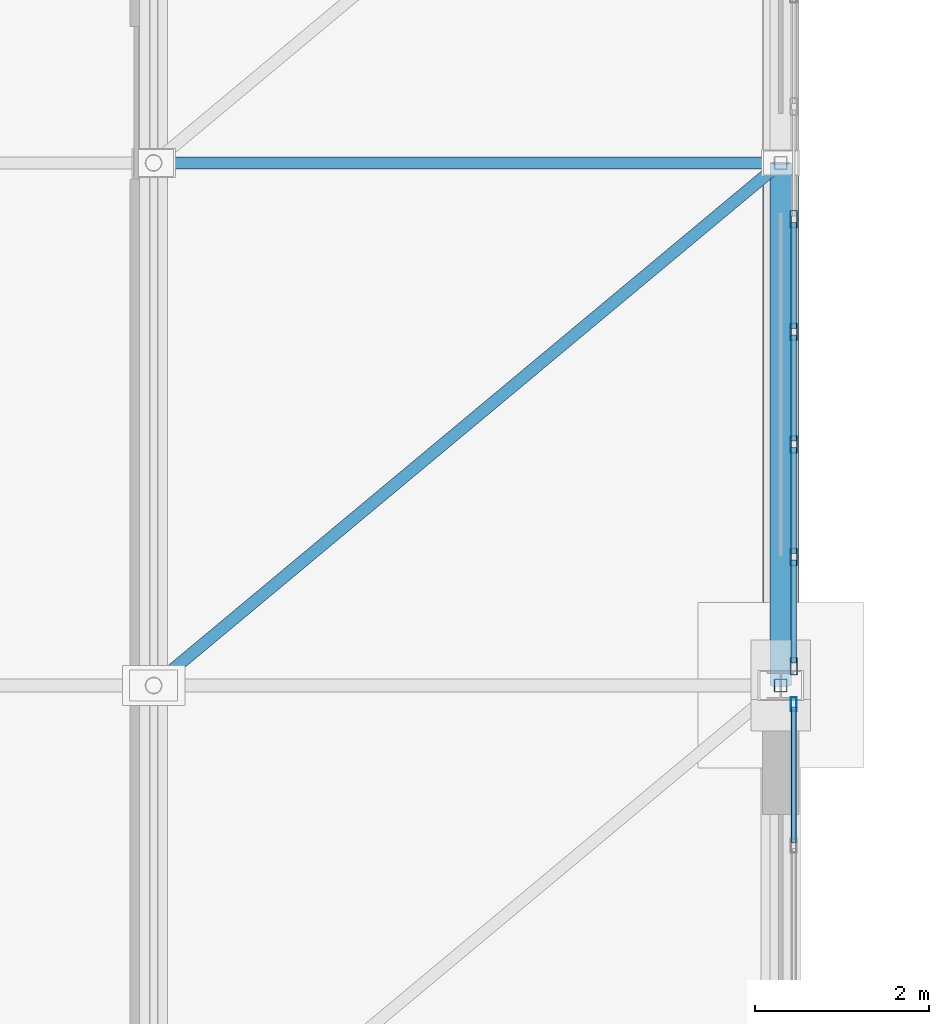
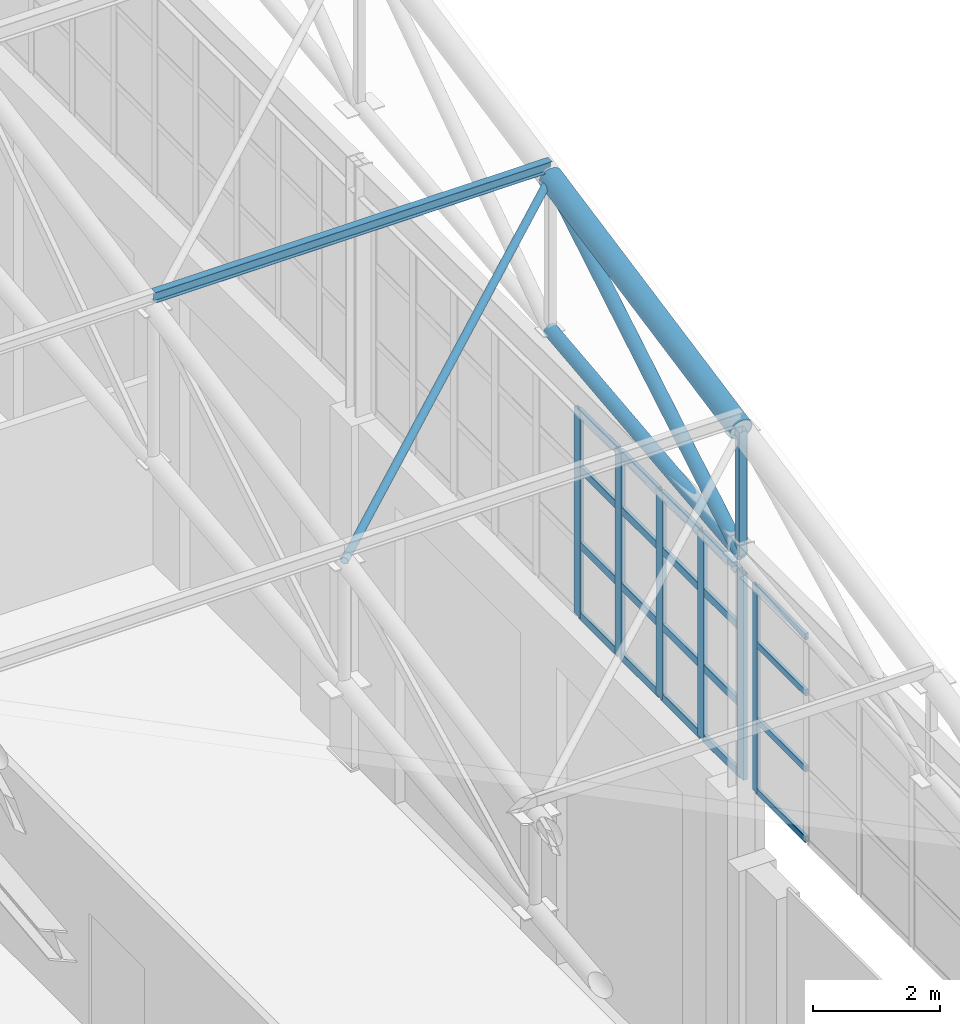
# One storey, part 185 of 293: 32 members, 2 elements without a shape of their own.
"""IFC4 building model written with IfcOpenShell, lengths in metres."""

import ifcopenshell
import ifcopenshell.guid

model = None  # the IFC model being written
_history = None  # IfcOwnerHistory: only IFC2X3 demands one
_inside = {}  # id of a spatial element -> (the spatial element, [elements in it])
_under = {}  # id of a project, library or spatial element -> (it, [spatial elements below it])
_declared = {}  # id of a project -> (the project, [libraries it declares])
_typed = {}  # id of a type object -> (the type object, [elements of that type])
_made_of = {}  # id of a material, layer set ... -> (it, [elements and type objects made of it])


def new_model(schema):
    """Start an empty IFC model of exactly this schema.

    Asked for "IFC4X3", IfcOpenShell would pick the latest addendum, in which some entities
    have other attributes; the version numbers below select the first issue.
    IFC2X3 requires an IfcOwnerHistory on every rooted entity: one is made here for all.
    """
    global model, _history
    if schema == "IFC4X3":
        model = ifcopenshell.file(schema_version=(4, 3, 0, 0))
    else:
        model = ifcopenshell.file(schema=schema)
    _inside.clear()
    _under.clear()
    _declared.clear()
    _typed.clear()
    _made_of.clear()
    _history = None
    if model.schema == "IFC2X3":
        org = make("IfcOrganization", Name="unknown")
        user = make(
            "IfcPersonAndOrganization",
            ThePerson=make("IfcPerson", FamilyName="unknown"),
            TheOrganization=org,
        )
        app = make(
            "IfcApplication",
            ApplicationDeveloper=org,
            Version="unknown",
            ApplicationFullName="unknown",
            ApplicationIdentifier="unknown",
        )
        _history = make(
            "IfcOwnerHistory",
            OwningUser=user,
            OwningApplication=app,
            ChangeAction="ADDED",
            CreationDate=0,
        )
    return model


def make(cls, **values):
    """One entity of the class cls with the attributes given. An attribute that is None is left unset."""
    return model.create_entity(
        cls, **{name: value for name, value in values.items() if value is not None}
    )


def rooted(cls, **values):
    """An entity with a GlobalId (a new one), such as an element, a storey or a relation."""
    return make(cls, GlobalId=ifcopenshell.guid.new(), OwnerHistory=_history, **values)


def si_unit(unit_type, name, prefix=None):
    """IfcSIUnit, for example si_unit("LENGTHUNIT", "METRE", prefix="MILLI")."""
    return make("IfcSIUnit", UnitType=unit_type, Prefix=prefix, Name=name)


def assignment(units):
    """IfcUnitAssignment: the units of a project."""
    return None if units is None else make("IfcUnitAssignment", Units=units)


def point(xyz):
    """IfcCartesianPoint."""
    return None if xyz is None else make("IfcCartesianPoint", Coordinates=xyz)


def direction(xyz):
    """IfcDirection."""
    return None if xyz is None else make("IfcDirection", DirectionRatios=xyz)


def frame(location, z_axis=None, x_axis=None):
    """IfcAxis2Placement3D, a coordinate frame: its origin and axes. An axis left out is left unset."""
    return make(
        "IfcAxis2Placement3D",
        Location=point(location),
        Axis=direction(z_axis),
        RefDirection=direction(x_axis),
    )


def frame_2d(location, x_axis=None):
    """IfcAxis2Placement2D, a coordinate frame in the plane: its origin and x axis."""
    return make(
        "IfcAxis2Placement2D", Location=point(location), RefDirection=direction(x_axis)
    )


def origin():
    """The frame at (0, 0, 0) with its axes left unset."""
    return frame((0.0, 0.0, 0.0))


def origin_2d():
    """The frame at (0, 0) in the plane with its x axis left unset."""
    return frame_2d((0.0, 0.0))


def place(relative_to, where):
    """IfcLocalPlacement: puts the frame where relative to a parent placement (None: the world)."""
    return make(
        "IfcLocalPlacement", PlacementRelTo=relative_to, RelativePlacement=where
    )


def context(
    kind, dimensions, precision=None, world=None, true_north=None, identifier=None
):
    """IfcGeometricRepresentationContext, for example the 3D "Model" context."""
    return make(
        "IfcGeometricRepresentationContext",
        ContextIdentifier=identifier,
        ContextType=kind,
        CoordinateSpaceDimension=dimensions,
        Precision=precision,
        WorldCoordinateSystem=world,
        TrueNorth=true_north,
    )


def subcontext(parent, identifier, kind, view, scale=None):
    """IfcGeometricRepresentationSubContext, for example "Body" below "Model"."""
    return make(
        "IfcGeometricRepresentationSubContext",
        ContextIdentifier=identifier,
        ContextType=kind,
        ParentContext=parent,
        TargetScale=scale,
        TargetView=view,
    )


def project(units=None, contexts=None):
    """IfcProject with its units and contexts."""
    return rooted(
        "IfcProject",
        Name="project",
        RepresentationContexts=contexts,
        UnitsInContext=assignment(units),
    )


def spatial(cls, under=None, at=None, **own):
    """A site, building, storey or space (cls), placed at a placement, below another one or the project."""
    s = rooted(cls, ObjectPlacement=at, **own)
    if under is not None:
        _under.setdefault(under.id(), (under, []))[1].append(s)
    return s


def profile(cls, at=None, kind="AREA", **sizes):
    """A parametric profile (cls). Its sizes go by their IFC names, for example OverallWidth=200.0."""
    return make(cls, ProfileType=kind, Position=at, **sizes)


def hollow_rectangle(**sizes):
    """IfcRectangleHollowProfileDef."""
    return profile("IfcRectangleHollowProfileDef", **sizes)


def hollow_circle(**sizes):
    """IfcCircleHollowProfileDef."""
    return profile("IfcCircleHollowProfileDef", **sizes)


def i_section(**sizes):
    """IfcIShapeProfileDef."""
    return profile("IfcIShapeProfileDef", **sizes)


def extrude(swept, where, along, depth):
    """IfcExtrudedAreaSolid: the profile swept, set in the frame where, extruded along a direction by depth."""
    return make(
        "IfcExtrudedAreaSolid",
        SweptArea=swept,
        Position=where,
        ExtrudedDirection=direction(along),
        Depth=depth,
    )


def shape(context_of_items, identifier, shape_type, items):
    """IfcShapeRepresentation: the items that make up one representation, for example the "Body"."""
    return make(
        "IfcShapeRepresentation",
        ContextOfItems=context_of_items,
        RepresentationIdentifier=identifier,
        RepresentationType=shape_type,
        Items=items,
    )


def material(Name=None, Category=None):
    """IfcMaterial."""
    return make("IfcMaterial", Name=Name, Category=Category)


def layer(
    of_material, thickness, ventilated=None, Name=None, Category=None, Priority=None
):
    """IfcMaterialLayer: one layer of a wall or slab, of a material (None: an air gap)."""
    return make(
        "IfcMaterialLayer",
        Material=of_material,
        LayerThickness=thickness,
        IsVentilated=ventilated,
        Name=Name,
        Category=Category,
        Priority=Priority,
    )


def layer_set(layers, Name=None):
    """IfcMaterialLayerSet."""
    return make("IfcMaterialLayerSet", MaterialLayers=layers, LayerSetName=Name)


def material_profile(
    of_material, cross_section, Name=None, Category=None, Priority=None
):
    """IfcMaterialProfile: a cross section and its material."""
    return make(
        "IfcMaterialProfile",
        Name=Name,
        Material=of_material,
        Profile=cross_section,
        Priority=Priority,
        Category=Category,
    )


def profile_set(profiles, Name=None, composite=None):
    """IfcMaterialProfileSet."""
    return make(
        "IfcMaterialProfileSet",
        Name=Name,
        MaterialProfiles=profiles,
        CompositeProfile=composite,
    )


def made_of(thing, what):
    """Note that an element or type object is made of a material, layer set ...; save() writes the relation."""
    if what is not None:
        _made_of.setdefault(what.id(), (what, []))[1].append(thing)
    return thing


def type_object(cls, material=None, **own):
    """A type object (cls), such as IfcWallType, which elements share."""
    return made_of(rooted(cls, **own), material)


def element(
    cls,
    number,
    at=None,
    inside=None,
    cuts=None,
    type_object=None,
    material=None,
    context=None,
    identifier="Body",
    shape_type=None,
    held_by="IfcProductDefinitionShape",
    body=None,
    shapes=None,
    **own,
):
    """One element of the class cls, such as IfcWall. Its Tag is "e" and its number.

    at: its placement. inside: the storey or other place that contains it. cuts: it is an
    opening in that element (IfcRelVoidsElement). A single representation is given by context,
    identifier, shape_type and body (its items); several are given by shapes. held_by: the class
    of the entity that holds the representations. save() writes the other relations.
    """
    e = rooted(cls, Tag="e%d" % number, ObjectPlacement=at, **own)
    if body is not None:
        shapes = [shape(context, identifier, shape_type, body)]
    if shapes is not None:
        e.Representation = make(held_by, Representations=shapes)
    if inside is not None:
        _inside.setdefault(inside.id(), (inside, []))[1].append(e)
    if cuts is not None:
        rooted(
            "IfcRelVoidsElement", RelatingBuildingElement=cuts, RelatedOpeningElement=e
        )
    if type_object is not None:
        _typed.setdefault(type_object.id(), (type_object, []))[1].append(e)
    return made_of(e, material)


def aggregate(whole, parts):
    """IfcRelAggregates: a whole, such as a stair, and the parts it consists of."""
    return rooted("IfcRelAggregates", RelatingObject=whole, RelatedObjects=parts)


def save(model, path):
    """Write the relations noted so far, then the file.

    IfcRelAggregates (storeys below a building ...), IfcRelContainedInSpatialStructure (elements
    in a storey), IfcRelDefinesByType, IfcRelAssociatesMaterial and IfcRelDeclares: one each for
    every whole, place, type object, material and project.
    """
    for whole, parts in _under.values():
        aggregate(whole, parts)
    for where, things in _inside.values():
        rooted(
            "IfcRelContainedInSpatialStructure",
            RelatedElements=things,
            RelatingStructure=where,
        )
    for kind, things in _typed.values():
        rooted("IfcRelDefinesByType", RelatedObjects=things, RelatingType=kind)
    for what, things in _made_of.values():
        rooted("IfcRelAssociatesMaterial", RelatedObjects=things, RelatingMaterial=what)
    for by, libraries in _declared.values():
        rooted("IfcRelDeclares", RelatingContext=by, RelatedDefinitions=libraries)
    model.write(path)


model = new_model("IFC4")

# Units and contexts
model_context = context("Model", 3, precision=1e-05, world=origin(), true_north=direction((0.0, 1.0)))
body_context = subcontext(model_context, "Body", "Model", "MODEL_VIEW")
ifc_project = project(units=[si_unit("LENGTHUNIT", "METRE"), si_unit("AREAUNIT", "SQUARE_METRE"), si_unit("VOLUMEUNIT", "CUBIC_METRE"), si_unit("PLANEANGLEUNIT", "RADIAN"), si_unit("MASSUNIT", "GRAM", prefix="KILO")], contexts=[model_context])

# Site, building, storey
site_placement = place(None, origin())
site = spatial("IfcSite", under=ifc_project, at=site_placement, CompositionType="ELEMENT")
building_placement = place(site_placement, origin())
building = spatial("IfcBuilding", under=site, at=building_placement, Name="Kemerveld Promenade Tramway Depot", CompositionType="ELEMENT")
storey_placement = place(building_placement, origin())
storey = spatial("IfcBuildingStorey", under=building, at=storey_placement, Name="L00", CompositionType="ELEMENT", Elevation=0.0)

# Curtain wall, member
ifc_material_1 = material(Name="Bronze anodised aluminium and solar glass", Category="aluminium")
ifc_layer_1 = layer(ifc_material_1, 0.159912109375)
ifc_layer_set_1 = layer_set([ifc_layer_1], Name="CW-SYS-11")
curtain_wall_type_1 = type_object("IfcCurtainWallType", Name="CW-SYS-11", PredefinedType="USERDEFINED", material=ifc_layer_set_1)
curtain_wall_1_placement = place(storey_placement, origin())
curtain_wall_1 = element("IfcCurtainWall", 1, at=curtain_wall_1_placement, inside=storey, type_object=curtain_wall_type_1, Name="CW-V1-E-01", ObjectType="GLAZED_CURTAIN_WALL", PredefinedType="USERDEFINED")
ifc_material_2 = material(Name="Bronze anodised aluminium", Category="aluminium")
ifc_material_profile_1 = material_profile(ifc_material_2, hollow_rectangle(XDim=0.06494140625, YDim=0.159912109375, WallThickness=0.00390625, InnerFilletRadius=0.001953125, OuterFilletRadius=0.00390625, at=origin_2d()), Name="CW-MUL-160x65")
ifc_profile_set_1 = profile_set([ifc_material_profile_1], Name="Bronze anodised aluminium")
member_type_1 = type_object("IfcMemberType", Name="CW-MUL-A", PredefinedType="MULLION", material=ifc_profile_set_1)
member_1_placement = place(storey_placement, frame((187.35009765625, 95.783935546875, 6.64990234375), z_axis=(0.0, 0.0, 1.0), x_axis=(1.0, 0.0, 0.0)))
member_1 = element("IfcMember", 2, at=member_1_placement, type_object=member_type_1, Name="CW11 mullion 1", PredefinedType="MULLION", context=body_context, shape_type="SweptSolid", body=[
    extrude(hollow_rectangle(XDim=0.06494140625, YDim=0.159912109375, WallThickness=0.00390625, InnerFilletRadius=0.001953125, OuterFilletRadius=0.00390625, at=origin_2d()), origin(), (0.0, 0.0, 1.0), 3.9501953125),
])

# Curtain wall, members
ifc_layer_2 = layer(ifc_material_1, 0.199951171875)
ifc_layer_set_2 = layer_set([ifc_layer_2], Name="CW-SYS-12")
curtain_wall_type_2 = type_object("IfcCurtainWallType", Name="CW-SYS-12", PredefinedType="USERDEFINED", material=ifc_layer_set_2)
curtain_wall_2_placement = place(storey_placement, origin())
curtain_wall_2 = element("IfcCurtainWall", 3, at=curtain_wall_2_placement, inside=storey, type_object=curtain_wall_type_2, Name="CW-V1-E-02", ObjectType="GLAZED_CURTAIN_WALL", PredefinedType="USERDEFINED")
ifc_material_profile_2 = material_profile(ifc_material_2, hollow_rectangle(XDim=0.074951171875, YDim=0.199951171875, WallThickness=0.0048828125, InnerFilletRadius=0.001953125, OuterFilletRadius=0.0048828125, at=origin_2d()), Name="CW-MUL-200x75")
ifc_profile_set_2 = profile_set([ifc_material_profile_2], Name="Bronze anodised aluminium")
member_type_2 = type_object("IfcMemberType", Name="CW-MUL-B", PredefinedType="MULLION", material=ifc_profile_set_2)
member_2_placement = place(storey_placement, frame((187.35009765625, 101.353759765625, 6.64990234375), z_axis=(0.0, 0.0, 1.0), x_axis=(1.0, 0.0, 0.0)))
member_2 = element("IfcMember", 4, at=member_2_placement, type_object=member_type_2, Name="CW12 mullion 6", PredefinedType="MULLION", context=body_context, shape_type="SweptSolid", body=[
    extrude(hollow_rectangle(XDim=0.074951171875, YDim=0.199951171875, WallThickness=0.0048828125, InnerFilletRadius=0.001953125, OuterFilletRadius=0.0048828125, at=origin_2d()), origin(), (0.0, 0.0, 1.0), 3.9501953125),
])
member_3_placement = place(storey_placement, frame((187.35009765625, 100.061279296875, 6.64990234375), z_axis=(0.0, 0.0, 1.0), x_axis=(1.0, 0.0, 0.0)))
member_3 = element("IfcMember", 5, at=member_3_placement, type_object=member_type_2, Name="CW12 mullion 7", PredefinedType="MULLION", context=body_context, shape_type="SweptSolid", body=[
    extrude(hollow_rectangle(XDim=0.074951171875, YDim=0.199951171875, WallThickness=0.0048828125, InnerFilletRadius=0.001953125, OuterFilletRadius=0.0048828125, at=origin_2d()), origin(), (0.0, 0.0, 1.0), 3.9501953125),
])
member_4_placement = place(storey_placement, frame((187.35009765625, 98.7685546875, 6.64990234375), z_axis=(0.0, 0.0, 1.0), x_axis=(1.0, 0.0, 0.0)))
member_4 = element("IfcMember", 6, at=member_4_placement, type_object=member_type_2, Name="CW12 mullion 8", PredefinedType="MULLION", context=body_context, shape_type="SweptSolid", body=[
    extrude(hollow_rectangle(XDim=0.074951171875, YDim=0.199951171875, WallThickness=0.0048828125, InnerFilletRadius=0.001953125, OuterFilletRadius=0.0048828125, at=origin_2d()), origin(), (0.0, 0.0, 1.0), 3.9501953125),
])
member_5_placement = place(storey_placement, frame((187.35009765625, 97.47607421875, 6.64990234375), z_axis=(0.0, 0.0, 1.0), x_axis=(1.0, 0.0, 0.0)))
member_5 = element("IfcMember", 7, at=member_5_placement, type_object=member_type_2, Name="CW12 mullion 9", PredefinedType="MULLION", context=body_context, shape_type="SweptSolid", body=[
    extrude(hollow_rectangle(XDim=0.074951171875, YDim=0.199951171875, WallThickness=0.0048828125, InnerFilletRadius=0.001953125, OuterFilletRadius=0.0048828125, at=origin_2d()), origin(), (0.0, 0.0, 1.0), 3.9501953125),
])
member_6_placement = place(storey_placement, frame((187.35009765625, 96.220947265625, 6.64990234375), z_axis=(0.0, 0.0, 1.0), x_axis=(1.0, 0.0, 0.0)))
member_6 = element("IfcMember", 8, at=member_6_placement, type_object=member_type_2, Name="CW12 mullion 10", PredefinedType="MULLION", context=body_context, shape_type="SweptSolid", body=[
    extrude(hollow_rectangle(XDim=0.074951171875, YDim=0.199951171875, WallThickness=0.0048828125, InnerFilletRadius=0.001953125, OuterFilletRadius=0.0048828125, at=origin_2d()), origin(), (0.0, 0.0, 1.0), 3.9501953125),
])

# Member
ifc_material_profile_3 = material_profile(ifc_material_2, hollow_rectangle(XDim=0.06005859375, YDim=0.1201171875, WallThickness=0.00390625, InnerFilletRadius=0.001953125, OuterFilletRadius=0.00390625, at=origin_2d()), Name="CW-TRN-120x60")
ifc_profile_set_3 = profile_set([ifc_material_profile_3], Name="Bronze anodised aluminium")
member_type_3 = type_object("IfcMemberType", Name="CW-TRN-A", PredefinedType="USERDEFINED", material=ifc_profile_set_3)
member_7_placement = place(storey_placement, frame((187.35009765625, 95.75146484375, 6.679931640625), z_axis=(0.0, -1.0, 0.0), x_axis=(1.0, 0.0, 0.0)))
member_7 = element("IfcMember", 9, at=member_7_placement, type_object=member_type_3, Name="CW11 transom 1.1", ObjectType="TRANSOM", PredefinedType="USERDEFINED", context=body_context, shape_type="SweptSolid", body=[
    extrude(hollow_rectangle(XDim=0.06005859375, YDim=0.1201171875, WallThickness=0.00390625, InnerFilletRadius=0.001953125, OuterFilletRadius=0.00390625, at=origin_2d()), origin(), (0.0, 0.0, 1.0), 1.55859375),
])

member_8_placement = place(storey_placement, frame((187.35009765625, 95.75146484375, 8.032958984375), z_axis=(0.0, -1.0, 0.0), x_axis=(1.0, 0.0, 0.0)))
member_8 = element("IfcMember", 10, at=member_8_placement, type_object=member_type_3, Name="CW11 transom 1.2", ObjectType="TRANSOM", PredefinedType="USERDEFINED", context=body_context, shape_type="SweptSolid", body=[
    extrude(hollow_rectangle(XDim=0.06005859375, YDim=0.1201171875, WallThickness=0.00390625, InnerFilletRadius=0.001953125, OuterFilletRadius=0.00390625, at=origin_2d()), origin(), (0.0, 0.0, 1.0), 1.55859375),
])

member_9_placement = place(storey_placement, frame((187.35009765625, 95.75146484375, 9.493896484375), z_axis=(0.0, -1.0, 0.0), x_axis=(1.0, 0.0, 0.0)))
member_9 = element("IfcMember", 11, at=member_9_placement, type_object=member_type_3, Name="CW11 transom 1.3", ObjectType="TRANSOM", PredefinedType="USERDEFINED", context=body_context, shape_type="SweptSolid", body=[
    extrude(hollow_rectangle(XDim=0.06005859375, YDim=0.1201171875, WallThickness=0.00390625, InnerFilletRadius=0.001953125, OuterFilletRadius=0.00390625, at=origin_2d()), origin(), (0.0, 0.0, 1.0), 1.55859375),
])

member_10_placement = place(storey_placement, frame((187.35009765625, 95.75146484375, 10.570068359375), z_axis=(0.0, -1.0, 0.0), x_axis=(1.0, 0.0, 0.0)))
member_10 = element("IfcMember", 12, at=member_10_placement, type_object=member_type_3, Name="CW11 transom 1.4", ObjectType="TRANSOM", PredefinedType="USERDEFINED", context=body_context, shape_type="SweptSolid", body=[
    extrude(hollow_rectangle(XDim=0.06005859375, YDim=0.1201171875, WallThickness=0.00390625, InnerFilletRadius=0.001953125, OuterFilletRadius=0.00390625, at=origin_2d()), origin(), (0.0, 0.0, 1.0), 1.55859375),
])

aggregate(curtain_wall_1, [member_1, member_7, member_8, member_9, member_10])

ifc_material_profile_4 = material_profile(ifc_material_2, hollow_rectangle(XDim=0.06494140625, YDim=0.14990234375, WallThickness=0.00439453125, InnerFilletRadius=0.001953125, OuterFilletRadius=0.00439453125, at=origin_2d()), Name="CW-TRN-150x65")
ifc_profile_set_4 = profile_set([ifc_material_profile_4], Name="Bronze anodised aluminium")
member_type_4 = type_object("IfcMemberType", Name="CW-TRN-B", PredefinedType="USERDEFINED", material=ifc_profile_set_4)
member_11_placement = place(storey_placement, frame((187.35009765625, 101.316162109375, 6.6826171875), z_axis=(0.0, -1.0, 0.0), x_axis=(1.0, 0.0, 0.0)))
member_11 = element("IfcMember", 13, at=member_11_placement, type_object=member_type_4, Name="CW12 transom 6.1", ObjectType="TRANSOM", PredefinedType="USERDEFINED", context=body_context, shape_type="SweptSolid", body=[
    extrude(hollow_rectangle(XDim=0.06494140625, YDim=0.14990234375, WallThickness=0.00439453125, InnerFilletRadius=0.001953125, OuterFilletRadius=0.00439453125, at=origin_2d()), origin(), (0.0, 0.0, 1.0), 1.217529296875),
])

member_12_placement = place(storey_placement, frame((187.35009765625, 101.316162109375, 8.032958984375), z_axis=(0.0, -1.0, 0.0), x_axis=(1.0, 0.0, 0.0)))
member_12 = element("IfcMember", 14, at=member_12_placement, type_object=member_type_4, Name="CW12 transom 6.2", ObjectType="TRANSOM", PredefinedType="USERDEFINED", context=body_context, shape_type="SweptSolid", body=[
    extrude(hollow_rectangle(XDim=0.06494140625, YDim=0.14990234375, WallThickness=0.00439453125, InnerFilletRadius=0.001953125, OuterFilletRadius=0.00439453125, at=origin_2d()), origin(), (0.0, 0.0, 1.0), 1.217529296875),
])

member_13_placement = place(storey_placement, frame((187.35009765625, 101.316162109375, 9.493896484375), z_axis=(0.0, -1.0, 0.0), x_axis=(1.0, 0.0, 0.0)))
member_13 = element("IfcMember", 15, at=member_13_placement, type_object=member_type_4, Name="CW12 transom 6.3", ObjectType="TRANSOM", PredefinedType="USERDEFINED", context=body_context, shape_type="SweptSolid", body=[
    extrude(hollow_rectangle(XDim=0.06494140625, YDim=0.14990234375, WallThickness=0.00439453125, InnerFilletRadius=0.001953125, OuterFilletRadius=0.00439453125, at=origin_2d()), origin(), (0.0, 0.0, 1.0), 1.217529296875),
])

member_14_placement = place(storey_placement, frame((187.35009765625, 101.316162109375, 10.5673828125), z_axis=(0.0, -1.0, 0.0), x_axis=(1.0, 0.0, 0.0)))
member_14 = element("IfcMember", 16, at=member_14_placement, type_object=member_type_4, Name="CW12 transom 6.4", ObjectType="TRANSOM", PredefinedType="USERDEFINED", context=body_context, shape_type="SweptSolid", body=[
    extrude(hollow_rectangle(XDim=0.06494140625, YDim=0.14990234375, WallThickness=0.00439453125, InnerFilletRadius=0.001953125, OuterFilletRadius=0.00439453125, at=origin_2d()), origin(), (0.0, 0.0, 1.0), 1.217529296875),
])

member_15_placement = place(storey_placement, frame((187.35009765625, 100.023681640625, 6.6826171875), z_axis=(0.0, -1.0, 0.0), x_axis=(1.0, 0.0, 0.0)))
member_15 = element("IfcMember", 17, at=member_15_placement, type_object=member_type_4, Name="CW12 transom 7.1", ObjectType="TRANSOM", PredefinedType="USERDEFINED", context=body_context, shape_type="SweptSolid", body=[
    extrude(hollow_rectangle(XDim=0.06494140625, YDim=0.14990234375, WallThickness=0.00439453125, InnerFilletRadius=0.001953125, OuterFilletRadius=0.00439453125, at=origin_2d()), origin(), (0.0, 0.0, 1.0), 1.217529296875),
])

member_16_placement = place(storey_placement, frame((187.35009765625, 100.023681640625, 8.032958984375), z_axis=(0.0, -1.0, 0.0), x_axis=(1.0, 0.0, 0.0)))
member_16 = element("IfcMember", 18, at=member_16_placement, type_object=member_type_4, Name="CW12 transom 7.2", ObjectType="TRANSOM", PredefinedType="USERDEFINED", context=body_context, shape_type="SweptSolid", body=[
    extrude(hollow_rectangle(XDim=0.06494140625, YDim=0.14990234375, WallThickness=0.00439453125, InnerFilletRadius=0.001953125, OuterFilletRadius=0.00439453125, at=origin_2d()), origin(), (0.0, 0.0, 1.0), 1.217529296875),
])

member_17_placement = place(storey_placement, frame((187.35009765625, 100.023681640625, 9.493896484375), z_axis=(0.0, -1.0, 0.0), x_axis=(1.0, 0.0, 0.0)))
member_17 = element("IfcMember", 19, at=member_17_placement, type_object=member_type_4, Name="CW12 transom 7.3", ObjectType="TRANSOM", PredefinedType="USERDEFINED", context=body_context, shape_type="SweptSolid", body=[
    extrude(hollow_rectangle(XDim=0.06494140625, YDim=0.14990234375, WallThickness=0.00439453125, InnerFilletRadius=0.001953125, OuterFilletRadius=0.00439453125, at=origin_2d()), origin(), (0.0, 0.0, 1.0), 1.217529296875),
])

member_18_placement = place(storey_placement, frame((187.35009765625, 100.023681640625, 10.5673828125), z_axis=(0.0, -1.0, 0.0), x_axis=(1.0, 0.0, 0.0)))
member_18 = element("IfcMember", 20, at=member_18_placement, type_object=member_type_4, Name="CW12 transom 7.4", ObjectType="TRANSOM", PredefinedType="USERDEFINED", context=body_context, shape_type="SweptSolid", body=[
    extrude(hollow_rectangle(XDim=0.06494140625, YDim=0.14990234375, WallThickness=0.00439453125, InnerFilletRadius=0.001953125, OuterFilletRadius=0.00439453125, at=origin_2d()), origin(), (0.0, 0.0, 1.0), 1.217529296875),
])

member_19_placement = place(storey_placement, frame((187.35009765625, 98.731201171875, 6.6826171875), z_axis=(0.0, -1.0, 0.0), x_axis=(1.0, 0.0, 0.0)))
member_19 = element("IfcMember", 21, at=member_19_placement, type_object=member_type_4, Name="CW12 transom 8.1", ObjectType="TRANSOM", PredefinedType="USERDEFINED", context=body_context, shape_type="SweptSolid", body=[
    extrude(hollow_rectangle(XDim=0.06494140625, YDim=0.14990234375, WallThickness=0.00439453125, InnerFilletRadius=0.001953125, OuterFilletRadius=0.00439453125, at=origin_2d()), origin(), (0.0, 0.0, 1.0), 1.217529296875),
])

member_20_placement = place(storey_placement, frame((187.35009765625, 98.731201171875, 8.032958984375), z_axis=(0.0, -1.0, 0.0), x_axis=(1.0, 0.0, 0.0)))
member_20 = element("IfcMember", 22, at=member_20_placement, type_object=member_type_4, Name="CW12 transom 8.2", ObjectType="TRANSOM", PredefinedType="USERDEFINED", context=body_context, shape_type="SweptSolid", body=[
    extrude(hollow_rectangle(XDim=0.06494140625, YDim=0.14990234375, WallThickness=0.00439453125, InnerFilletRadius=0.001953125, OuterFilletRadius=0.00439453125, at=origin_2d()), origin(), (0.0, 0.0, 1.0), 1.217529296875),
])

member_21_placement = place(storey_placement, frame((187.35009765625, 98.731201171875, 9.493896484375), z_axis=(0.0, -1.0, 0.0), x_axis=(1.0, 0.0, 0.0)))
member_21 = element("IfcMember", 23, at=member_21_placement, type_object=member_type_4, Name="CW12 transom 8.3", ObjectType="TRANSOM", PredefinedType="USERDEFINED", context=body_context, shape_type="SweptSolid", body=[
    extrude(hollow_rectangle(XDim=0.06494140625, YDim=0.14990234375, WallThickness=0.00439453125, InnerFilletRadius=0.001953125, OuterFilletRadius=0.00439453125, at=origin_2d()), origin(), (0.0, 0.0, 1.0), 1.217529296875),
])

member_22_placement = place(storey_placement, frame((187.35009765625, 98.731201171875, 10.5673828125), z_axis=(0.0, -1.0, 0.0), x_axis=(1.0, 0.0, 0.0)))
member_22 = element("IfcMember", 24, at=member_22_placement, type_object=member_type_4, Name="CW12 transom 8.4", ObjectType="TRANSOM", PredefinedType="USERDEFINED", context=body_context, shape_type="SweptSolid", body=[
    extrude(hollow_rectangle(XDim=0.06494140625, YDim=0.14990234375, WallThickness=0.00439453125, InnerFilletRadius=0.001953125, OuterFilletRadius=0.00439453125, at=origin_2d()), origin(), (0.0, 0.0, 1.0), 1.217529296875),
])

member_23_placement = place(storey_placement, frame((187.35009765625, 97.4384765625, 6.6826171875), z_axis=(0.0, -1.0, 0.0), x_axis=(1.0, 0.0, 0.0)))
member_23 = element("IfcMember", 25, at=member_23_placement, type_object=member_type_4, Name="CW12 transom 9.1", ObjectType="TRANSOM", PredefinedType="USERDEFINED", context=body_context, shape_type="SweptSolid", body=[
    extrude(hollow_rectangle(XDim=0.06494140625, YDim=0.14990234375, WallThickness=0.00439453125, InnerFilletRadius=0.001953125, OuterFilletRadius=0.00439453125, at=origin_2d()), origin(), (0.0, 0.0, 1.0), 1.179931640625),
])

member_24_placement = place(storey_placement, frame((187.35009765625, 97.4384765625, 8.032958984375), z_axis=(0.0, -1.0, 0.0), x_axis=(1.0, 0.0, 0.0)))
member_24 = element("IfcMember", 26, at=member_24_placement, type_object=member_type_4, Name="CW12 transom 9.2", ObjectType="TRANSOM", PredefinedType="USERDEFINED", context=body_context, shape_type="SweptSolid", body=[
    extrude(hollow_rectangle(XDim=0.06494140625, YDim=0.14990234375, WallThickness=0.00439453125, InnerFilletRadius=0.001953125, OuterFilletRadius=0.00439453125, at=origin_2d()), origin(), (0.0, 0.0, 1.0), 1.179931640625),
])

member_25_placement = place(storey_placement, frame((187.35009765625, 97.4384765625, 9.493896484375), z_axis=(0.0, -1.0, 0.0), x_axis=(1.0, 0.0, 0.0)))
member_25 = element("IfcMember", 27, at=member_25_placement, type_object=member_type_4, Name="CW12 transom 9.3", ObjectType="TRANSOM", PredefinedType="USERDEFINED", context=body_context, shape_type="SweptSolid", body=[
    extrude(hollow_rectangle(XDim=0.06494140625, YDim=0.14990234375, WallThickness=0.00439453125, InnerFilletRadius=0.001953125, OuterFilletRadius=0.00439453125, at=origin_2d()), origin(), (0.0, 0.0, 1.0), 1.179931640625),
])

member_26_placement = place(storey_placement, frame((187.35009765625, 97.4384765625, 10.5673828125), z_axis=(0.0, -1.0, 0.0), x_axis=(1.0, 0.0, 0.0)))
member_26 = element("IfcMember", 28, at=member_26_placement, type_object=member_type_4, Name="CW12 transom 9.4", ObjectType="TRANSOM", PredefinedType="USERDEFINED", context=body_context, shape_type="SweptSolid", body=[
    extrude(hollow_rectangle(XDim=0.06494140625, YDim=0.14990234375, WallThickness=0.00439453125, InnerFilletRadius=0.001953125, OuterFilletRadius=0.00439453125, at=origin_2d()), origin(), (0.0, 0.0, 1.0), 1.179931640625),
])

aggregate(curtain_wall_2, [member_2, member_3, member_4, member_5, member_6, member_11, member_12, member_13, member_14, member_15, member_16, member_17, member_18, member_19, member_20, member_21, member_22, member_23, member_24, member_25, member_26])

# Members
ifc_material_3 = material(Name="Steel S355", Category="steel")
ifc_material_profile_5 = material_profile(ifc_material_3, i_section(OverallWidth=0.13330078125, OverallDepth=0.203125, WebThickness=0.005615234375, FlangeThickness=0.0078125, FilletRadius=0.007568359375, at=origin_2d()), Name="203x133x25 UB")
ifc_profile_set_5 = profile_set([ifc_material_profile_5], Name="Steel S355")
member_type_5 = type_object("IfcMemberType", Name="MB-PR4", PredefinedType="PURLIN", material=ifc_profile_set_5)
member_27_placement = place(storey_placement, frame((180.0, 102.0, 14.945068359375), z_axis=(1.0, 0.0, 0.0), x_axis=(0.0, 1.0, 0.0)))
element("IfcMember", 29, at=member_27_placement, inside=storey, type_object=member_type_5, Name="PUR-V1-03-26", PredefinedType="PURLIN", context=body_context, shape_type="SweptSolid", body=[
    extrude(i_section(OverallWidth=0.13330078125, OverallDepth=0.203125, WebThickness=0.005615234375, FlangeThickness=0.0078125, FilletRadius=0.007568359375, at=origin_2d()), origin(), (0.0, 0.0, 1.0), 7.199951171875),
])
ifc_material_profile_6 = material_profile(ifc_material_3, hollow_circle(Radius=0.122314453125, WallThickness=0.010009765625, at=origin_2d()), Name="244.5x10.0 CHS")
ifc_profile_set_6 = profile_set([ifc_material_profile_6], Name="Steel S355")
member_type_6 = type_object("IfcMemberType", Name="MB-TB1", PredefinedType="BRACE", material=ifc_profile_set_6)
member_28_placement = place(storey_placement, frame((187.199951171875, 96.0, 11.1201171875), z_axis=(0.0, 0.8587636701, 0.512371895128), x_axis=(-1.0, 0.0, 0.0)))
element("IfcMember", 30, at=member_28_placement, inside=storey, type_object=member_type_6, Name="TR-27-DG-03", PredefinedType="BRACE", context=body_context, shape_type="SweptSolid", body=[
    extrude(hollow_circle(Radius=0.122314453125, WallThickness=0.010009765625, at=origin_2d()), origin(), (0.0, 0.0, 1.0), 6.98681640625),
])
ifc_material_profile_7 = material_profile(ifc_material_3, hollow_circle(Radius=0.06982421875, WallThickness=0.00634765625, at=origin_2d()), Name="139.7x6.3 CHS")
ifc_profile_set_7 = profile_set([ifc_material_profile_7], Name="Steel S355")
member_type_7 = type_object("IfcMemberType", Name="MB-TB3", PredefinedType="BRACE", material=ifc_profile_set_7)
member_29_placement = place(storey_placement, frame((180.0, 96.0, 13.5), z_axis=(0.761999094998, 0.635003552225, 0.126995542773), x_axis=(-0.640186961885, 0.768219144407, 0.0)))
element("IfcMember", 31, at=member_29_placement, inside=storey, type_object=member_type_7, Name="RBR-V1-02-26", PredefinedType="BRACE", context=body_context, shape_type="SweptSolid", body=[
    extrude(hollow_circle(Radius=0.06982421875, WallThickness=0.00634765625, at=origin_2d()), origin(), (0.0, 0.0, 1.0), 9.44873046875),
])
ifc_material_profile_8 = material_profile(ifc_material_3, hollow_circle(Radius=0.203125, WallThickness=0.01611328125, at=origin_2d()), Name="406.4x16.0 CHS")
ifc_profile_set_8 = profile_set([ifc_material_profile_8], Name="Steel S355")
member_type_8 = type_object("IfcMemberType", Name="MB-TC1", PredefinedType="CHORD", material=ifc_profile_set_8)
member_30_placement = place(storey_placement, frame((187.199951171875, 96.0, 13.5), z_axis=(0.0, 0.980582210276, 0.196108462057), x_axis=(-1.0, 0.0, 0.0)))
element("IfcMember", 32, at=member_30_placement, inside=storey, type_object=member_type_8, Name="TR-27-TC-03", PredefinedType="CHORD", context=body_context, shape_type="SweptSolid", body=[
    extrude(hollow_circle(Radius=0.203125, WallThickness=0.01611328125, at=origin_2d()), origin(), (0.0, 0.0, 1.0), 6.118896484375),
])
ifc_material_profile_9 = material_profile(ifc_material_3, hollow_circle(Radius=0.122314453125, WallThickness=0.010009765625, at=origin_2d()), Name="244.5x10.0 CHS")
ifc_profile_set_9 = profile_set([ifc_material_profile_9], Name="Steel S355")
member_type_9 = type_object("IfcMemberType", Name="MB-TC3", PredefinedType="CHORD", material=ifc_profile_set_9)
member_31_placement = place(storey_placement, frame((187.199951171875, 96.0, 11.1201171875), z_axis=(0.0, 0.994005938353, 0.109326092585), x_axis=(-1.0, 0.0, 0.0)))
element("IfcMember", 33, at=member_31_placement, inside=storey, type_object=member_type_9, Name="TR-27-BC-03", PredefinedType="CHORD", context=body_context, shape_type="SweptSolid", body=[
    extrude(hollow_circle(Radius=0.122314453125, WallThickness=0.010009765625, at=origin_2d()), origin(), (0.0, 0.0, 1.0), 6.0361328125),
])
ifc_material_profile_10 = material_profile(ifc_material_3, hollow_rectangle(XDim=0.14990234375, YDim=0.14990234375, WallThickness=0.008056640625, InnerFilletRadius=0.00390625, OuterFilletRadius=0.011962890625, at=origin_2d()), Name="150x150x8.0 SHS")
ifc_profile_set_10 = profile_set([ifc_material_profile_10], Name="Steel S355")
member_type_10 = type_object("IfcMemberType", Name="MB-TP2", PredefinedType="POST", material=ifc_profile_set_10)
member_32_placement = place(storey_placement, frame((187.199951171875, 96.0, 11.1201171875), z_axis=(0.0, 0.0, 1.0), x_axis=(1.0, 0.0, 0.0)))
element("IfcMember", 34, at=member_32_placement, inside=storey, type_object=member_type_10, Name="TR-27-VT-02", PredefinedType="POST", context=body_context, shape_type="SweptSolid", body=[
    extrude(hollow_rectangle(XDim=0.14990234375, YDim=0.14990234375, WallThickness=0.008056640625, InnerFilletRadius=0.00390625, OuterFilletRadius=0.011962890625, at=origin_2d()), origin(), (0.0, 0.0, 1.0), 2.3798828125),
])

save(model, "model.ifc")
